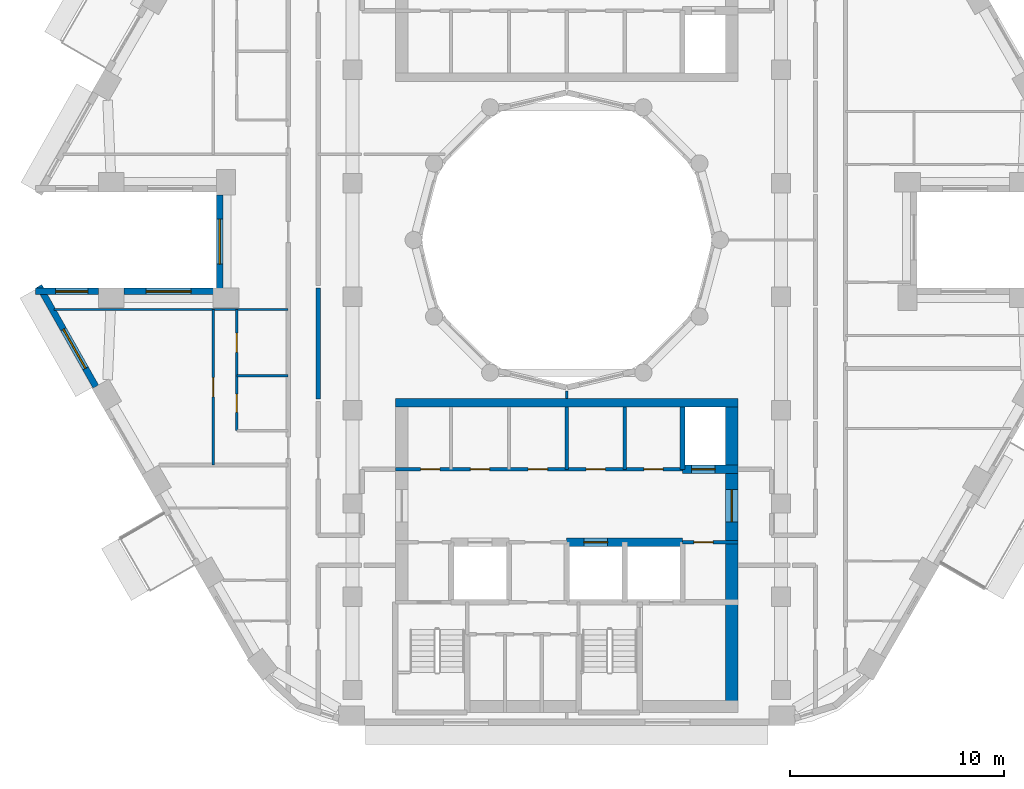
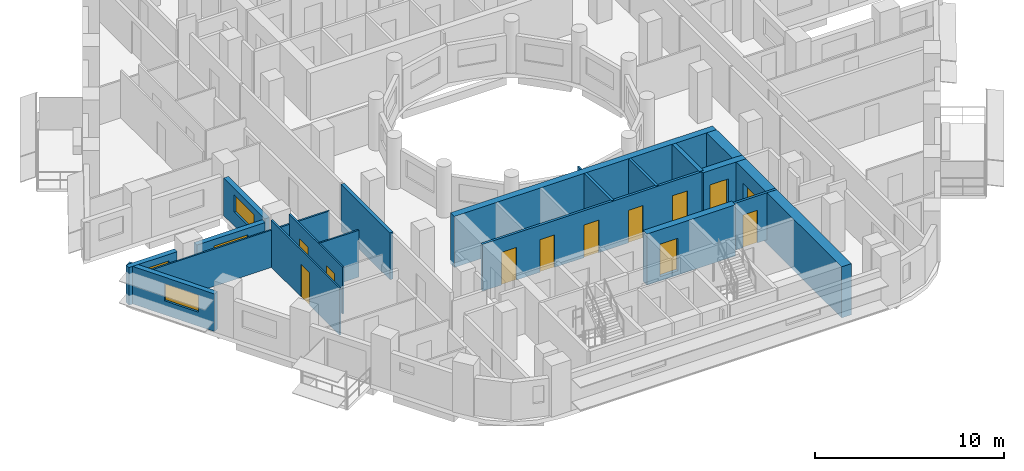
# One storey, part 4 of 17: 19 walls, 12 doors, 4 windows, 16 openings.
"""IFC4 building model written with IfcOpenShell, lengths in metres."""

from ifc_helpers import new_model, si_unit, direction, frame, frame_2d, origin, place, context, subcontext, project, spatial, rectangle, extrude, material, layer, layer_set, type_object, element, fill, save


model = new_model("IFC4")

# Units and contexts
model_context = context("Model", 3, precision=1e-05, world=origin(), true_north=direction((0.0, 1.0)))
body_context = subcontext(model_context, "Body", "Model", "MODEL_VIEW")
ifc_project = project(units=[si_unit("LENGTHUNIT", "METRE"), si_unit("AREAUNIT", "SQUARE_METRE"), si_unit("VOLUMEUNIT", "CUBIC_METRE"), si_unit("PLANEANGLEUNIT", "RADIAN"), si_unit("MASSUNIT", "GRAM", prefix="KILO")], contexts=[model_context])

# Site, building, storey
site_placement = place(None, origin())
site = spatial("IfcSite", under=ifc_project, at=site_placement, CompositionType="ELEMENT")
building_placement = place(site_placement, origin())
building = spatial("IfcBuilding", under=site, at=building_placement, Name="Nakaniwa Court", CompositionType="ELEMENT")
storey_placement = place(building_placement, frame((0.0, 0.0, 203.10009765625)))
storey = spatial("IfcBuildingStorey", under=building, at=storey_placement, Name="L53", CompositionType="ELEMENT", Elevation=203.10009765625)

# Wall
ifc_material_1 = material(Name="Acoustic double stud partition")
ifc_layer_1 = layer(ifc_material_1, 0.199951171875)
ifc_layer_set_1 = layer_set([ifc_layer_1], Name="Acoustic double stud partition")
wall_type_1 = type_object("IfcWallType", Name="Acoustic double stud partition 200", PredefinedType="PARTITIONING", material=ifc_layer_set_1)
wall_1_placement = place(storey_placement, frame((68.39990234375, 72.5771484375, 0.0), z_axis=(0.0, 0.0, 1.0), x_axis=(0.0, 1.0, 0.0)))
element("IfcWall", 1, at=wall_1_placement, inside=storey, type_object=wall_type_1, Name="Partition PW-103", PredefinedType="PARTITIONING", context=body_context, shape_type="SweptSolid", body=[
    extrude(rectangle(XDim=5.185546875, YDim=0.199951171875, at=frame_2d((2.5927734375, 0.0))), origin(), (0.0, 0.0, 1.0), 3.02490234375),
])

# Wall, opening, window
ifc_material_2 = material(Name="Charcoal ceramic cladding")
ifc_layer_2 = layer(ifc_material_2, 0.02, Name="Ceramic cladding")
ifc_material_3 = material(Name="Ventilated air cavity")
ifc_layer_3 = layer(ifc_material_3, 0.04, ventilated=True, Name="Ventilated cavity")
ifc_material_4 = material(Name="Mineral wool insulation")
ifc_layer_4 = layer(ifc_material_4, 0.1, Name="Insulation")
ifc_material_5 = material(Name="Cement bonded sheathing board")
ifc_layer_5 = layer(ifc_material_5, 0.012, Name="Sheathing")
ifc_material_6 = material(Name="Cold-formed galvanised stud frame with mineral wool infill")
ifc_layer_6 = layer(ifc_material_6, 0.1, Name="Stud frame")
ifc_material_7 = material(Name="Fire-rated gypsum plasterboard lining")
ifc_layer_7 = layer(ifc_material_7, 0.028, Name="Lining")
ifc_layer_set_2 = layer_set([ifc_layer_2, ifc_layer_3, ifc_layer_4, ifc_layer_5, ifc_layer_6, ifc_layer_7], Name="Charcoal ceramic faced external wall system")
wall_type_2 = type_object("IfcWallType", Name="Black ceramic faced external wall 300", PredefinedType="SOLIDWALL", material=ifc_layer_set_2)
wall_2_placement = place(storey_placement, frame((63.800537109375, 82.10400390625, 0.0), z_axis=(0.0, 0.0, 1.0), x_axis=(0.0, -1.0, 0.0)))
wall_2 = element("IfcWall", 2, at=wall_2_placement, inside=storey, type_object=wall_type_2, Name="L53 external wall 17", PredefinedType="SOLIDWALL", context=body_context, shape_type="SweptSolid", body=[
    extrude(rectangle(XDim=4.35791015625, YDim=0.300048828125, at=frame_2d((2.178955078125, 0.0))), origin(), (0.0, 0.0, 1.0), 2.4248046875),
])
opening_1_placement = place(wall_2_placement, frame((1.12890625, 0.0, 0.89990234375)))
opening_1 = element("IfcOpeningElement", 3, at=opening_1_placement, cuts=wall_2, Name="Opening W7.19", PredefinedType="OPENING", context=body_context, shape_type="SweptSolid", body=[
    extrude(rectangle(XDim=2.10009765625, YDim=1.10009765625, at=frame_2d((1.050048828125, 0.550048828125))), frame((0.0, 0.159912109375, 0.0), z_axis=(0.0, -1.0, 0.0), x_axis=(1.0, 0.0, 0.0)), (0.0, 0.0, 1.0), 0.320068359375),
])
ifc_material_8 = material(Name="Black anodised aluminium frame with dark low-E laminated double glazing", Category="aluminium")
window_type_1 = type_object("IfcWindowType", Name="Dark glass window 2100x1100 sill 900", PartitioningType="SINGLE_PANEL", PredefinedType="WINDOW", material=ifc_material_8)
window_1_placement = place(opening_1_placement, origin())
window_1 = element("IfcWindow", 4, at=window_1_placement, inside=storey, type_object=window_type_1, Name="L53 habitable room window 17-0", OverallHeight=1.10009765625, OverallWidth=2.10009765625, PartitioningType="SINGLE_PANEL", PredefinedType="WINDOW", context=body_context, shape_type="SweptSolid", body=[
    extrude(rectangle(XDim=2.10009765625, YDim=1.10009765625, at=frame_2d((1.050048828125, 0.550048828125))), frame((0.0, 0.030029296875, 0.0), z_axis=(0.0, -1.0, 0.0), x_axis=(1.0, 0.0, 0.0)), (0.0, 0.0, 1.0), 0.06005859375),
])
fill(opening_1, window_1)

wall_3_placement = place(storey_placement, frame((63.50439453125, 77.60009765625, 0.0), z_axis=(0.0, 0.0, 1.0), x_axis=(-1.0, 0.0, 0.0)))
wall_3 = element("IfcWall", 5, at=wall_3_placement, inside=storey, type_object=wall_type_2, Name="L53 external wall 18", PredefinedType="SOLIDWALL", context=body_context, shape_type="SweptSolid", body=[
    extrude(rectangle(XDim=4.17236328125, YDim=0.300048828125, at=frame_2d((2.086181640625, 0.0))), origin(), (0.0, 0.0, 1.0), 2.4248046875),
])
opening_2_placement = place(wall_3_placement, frame((1.036376953125, 0.0, 0.89990234375)))
opening_2 = element("IfcOpeningElement", 6, at=opening_2_placement, cuts=wall_3, Name="Opening W7.20", PredefinedType="OPENING", context=body_context, shape_type="SweptSolid", body=[
    extrude(rectangle(XDim=2.10009765625, YDim=1.10009765625, at=frame_2d((1.050048828125, 0.550048828125))), frame((0.0, 0.159912109375, 0.0), z_axis=(0.0, -1.0, 0.0), x_axis=(1.0, 0.0, 0.0)), (0.0, 0.0, 1.0), 0.320068359375),
])
window_2_placement = place(opening_2_placement, origin())
window_2 = element("IfcWindow", 7, at=window_2_placement, inside=storey, type_object=window_type_1, Name="L53 habitable room window 18-0", OverallHeight=1.10009765625, OverallWidth=2.10009765625, PartitioningType="SINGLE_PANEL", PredefinedType="WINDOW", context=body_context, shape_type="SweptSolid", body=[
    extrude(rectangle(XDim=2.10009765625, YDim=1.10009765625, at=frame_2d((1.050048828125, 0.550048828125))), frame((0.0, 0.030029296875, 0.0), z_axis=(0.0, -1.0, 0.0), x_axis=(1.0, 0.0, 0.0)), (0.0, 0.0, 1.0), 0.06005859375),
])
fill(opening_2, window_2)

wall_4_placement = place(storey_placement, frame((58.139892578125, 77.60009765625, 0.0), z_axis=(0.0, 0.0, 1.0), x_axis=(-1.0, 0.0, 0.0)))
wall_4 = element("IfcWall", 8, at=wall_4_placement, inside=storey, type_object=wall_type_2, Name="L53 external wall 19", PredefinedType="SOLIDWALL", context=body_context, shape_type="SweptSolid", body=[
    extrude(rectangle(XDim=2.937744140625, YDim=0.300048828125, at=frame_2d((1.46875, 0.0))), origin(), (0.0, 0.0, 1.0), 2.4248046875),
])
opening_3_placement = place(wall_4_placement, frame((0.493896484375, 0.0, 0.89990234375)))
opening_3 = element("IfcOpeningElement", 9, at=opening_3_placement, cuts=wall_4, Name="Opening W5.21", PredefinedType="OPENING", context=body_context, shape_type="SweptSolid", body=[
    extrude(rectangle(XDim=1.5, YDim=1.10009765625, at=frame_2d((0.75, 0.550048828125))), frame((0.0, 0.159912109375, 0.0), z_axis=(0.0, -1.0, 0.0), x_axis=(1.0, 0.0, 0.0)), (0.0, 0.0, 1.0), 0.320068359375),
])
window_type_2 = type_object("IfcWindowType", Name="Dark glass window 1500x1100 sill 900", PartitioningType="SINGLE_PANEL", PredefinedType="WINDOW", material=ifc_material_8)
window_3_placement = place(opening_3_placement, origin())
window_3 = element("IfcWindow", 10, at=window_3_placement, inside=storey, type_object=window_type_2, Name="L53 habitable room window 19-0", OverallHeight=1.10009765625, OverallWidth=1.5, PartitioningType="SINGLE_PANEL", PredefinedType="WINDOW", context=body_context, shape_type="SweptSolid", body=[
    extrude(rectangle(XDim=1.5, YDim=1.10009765625, at=frame_2d((0.75, 0.550048828125))), frame((0.0, 0.030029296875, 0.0), z_axis=(0.0, -1.0, 0.0), x_axis=(1.0, 0.0, 0.0)), (0.0, 0.0, 1.0), 0.06005859375),
])
fill(opening_3, window_3)

wall_5_placement = place(storey_placement, frame((55.372802734375, 77.846435546875, 0.0), z_axis=(0.0, 0.0, 1.0), x_axis=(0.492033360928, -0.870576344575, 0.0)))
wall_5 = element("IfcWall", 11, at=wall_5_placement, inside=storey, type_object=wall_type_2, Name="L53 external wall 20", PredefinedType="SOLIDWALL", context=body_context, shape_type="SweptSolid", body=[
    extrude(rectangle(XDim=5.38671875, YDim=0.300048828125, at=frame_2d((2.693359375, 0.0))), origin(), (0.0, 0.0, 1.0), 2.4248046875),
])
opening_4_placement = place(wall_5_placement, frame((2.308349609375, 0.0, 0.89990234375)))
opening_4 = element("IfcOpeningElement", 12, at=opening_4_placement, cuts=wall_5, Name="Opening W7.22", PredefinedType="OPENING", context=body_context, shape_type="SweptSolid", body=[
    extrude(rectangle(XDim=2.10009765625, YDim=1.10009765625, at=frame_2d((1.050048828125, 0.550048828125))), frame((0.0, 0.159912109375, 0.0), z_axis=(0.0, -1.0, 0.0), x_axis=(1.0, 0.0, 0.0)), (0.0, 0.0, 1.0), 0.320068359375),
])
window_4_placement = place(opening_4_placement, origin())
window_4 = element("IfcWindow", 13, at=window_4_placement, inside=storey, type_object=window_type_1, Name="L53 living window 20-1", OverallHeight=1.10009765625, OverallWidth=2.10009765625, PartitioningType="SINGLE_PANEL", PredefinedType="WINDOW", context=body_context, shape_type="SweptSolid", body=[
    extrude(rectangle(XDim=2.10009765625, YDim=1.10009765625, at=frame_2d((1.050048828125, 0.550048828125))), frame((0.0, 0.030029296875, 0.0), z_axis=(0.0, -1.0, 0.0), x_axis=(1.0, 0.0, 0.0)), (0.0, 0.0, 1.0), 0.06005859375),
])
fill(opening_4, window_4)

# Wall, openings, doors
ifc_material_9 = material(Name="Blockwork partition", Category="masonry")
ifc_layer_8 = layer(ifc_material_9, 0.14990234375)
ifc_layer_set_3 = layer_set([ifc_layer_8], Name="Blockwork partition")
wall_type_3 = type_object("IfcWallType", Name="Blockwork partition 150", PredefinedType="PARTITIONING", material=ifc_layer_set_3)
wall_6_placement = place(storey_placement, frame((72.0, 69.300048828125, 0.0), z_axis=(0.0, 0.0, 1.0), x_axis=(1.0, 0.0, 0.0)))
wall_6 = element("IfcWall", 14, at=wall_6_placement, inside=storey, type_object=wall_type_3, Name="Partition PW-038", PredefinedType="PARTITIONING", context=body_context, shape_type="SweptSolid", body=[
    extrude(rectangle(XDim=13.39990234375, YDim=0.14990234375, at=frame_2d((6.699951171875, 0.0))), origin(), (0.0, 0.0, 1.0), 3.02490234375),
])
opening_5_placement = place(wall_6_placement, frame((1.175048828125, 0.0, 0.0)))
opening_5 = element("IfcOpeningElement", 15, at=opening_5_placement, cuts=wall_6, Name="Opening D-05-10", PredefinedType="OPENING", context=body_context, shape_type="SweptSolid", body=[
    extrude(rectangle(XDim=0.89990234375, YDim=2.10009765625, at=frame_2d((0.449951171875, 1.050048828125))), frame((0.0, 0.0849609375, 0.0), z_axis=(0.0, -1.0, 0.0), x_axis=(1.0, 0.0, 0.0)), (0.0, 0.0, 1.0), 0.169921875),
])
opening_6_placement = place(wall_6_placement, frame((3.5, 0.0, 0.0)))
opening_6 = element("IfcOpeningElement", 16, at=opening_6_placement, cuts=wall_6, Name="Opening D-05-11", PredefinedType="OPENING", context=body_context, shape_type="SweptSolid", body=[
    extrude(rectangle(XDim=0.89990234375, YDim=2.10009765625, at=frame_2d((0.449951171875, 1.050048828125))), frame((0.0, 0.0849609375, 0.0), z_axis=(0.0, -1.0, 0.0), x_axis=(1.0, 0.0, 0.0)), (0.0, 0.0, 1.0), 0.169921875),
])
opening_7_placement = place(wall_6_placement, frame((6.199951171875, 0.0, 0.0)))
opening_7 = element("IfcOpeningElement", 17, at=opening_7_placement, cuts=wall_6, Name="Opening D-05-12", PredefinedType="OPENING", context=body_context, shape_type="SweptSolid", body=[
    extrude(rectangle(XDim=0.89990234375, YDim=2.10009765625, at=frame_2d((0.449951171875, 1.050048828125))), frame((0.0, 0.0849609375, 0.0), z_axis=(0.0, -1.0, 0.0), x_axis=(1.0, 0.0, 0.0)), (0.0, 0.0, 1.0), 0.169921875),
])
opening_8_placement = place(wall_6_placement, frame((8.89990234375, 0.0, 0.0)))
opening_8 = element("IfcOpeningElement", 18, at=opening_8_placement, cuts=wall_6, Name="Opening D-05-13", PredefinedType="OPENING", context=body_context, shape_type="SweptSolid", body=[
    extrude(rectangle(XDim=0.89990234375, YDim=2.10009765625, at=frame_2d((0.449951171875, 1.050048828125))), frame((0.0, 0.0849609375, 0.0), z_axis=(0.0, -1.0, 0.0), x_axis=(1.0, 0.0, 0.0)), (0.0, 0.0, 1.0), 0.169921875),
])
opening_9_placement = place(wall_6_placement, frame((11.60009765625, 0.0, 0.0)))
opening_9 = element("IfcOpeningElement", 19, at=opening_9_placement, cuts=wall_6, Name="Opening D-05-14", PredefinedType="OPENING", context=body_context, shape_type="SweptSolid", body=[
    extrude(rectangle(XDim=0.89990234375, YDim=2.10009765625, at=frame_2d((0.449951171875, 1.050048828125))), frame((0.0, 0.0849609375, 0.0), z_axis=(0.0, -1.0, 0.0), x_axis=(1.0, 0.0, 0.0)), (0.0, 0.0, 1.0), 0.169921875),
])
ifc_material_10 = material(Name="Fire rated steel door set", Category="steel")
door_type_1 = type_object("IfcDoorType", Name="Service room door 900", OperationType="NOTDEFINED", PredefinedType="DOOR", material=ifc_material_10)
door_1_placement = place(opening_5_placement, origin())
door_1 = element("IfcDoor", 20, at=door_1_placement, inside=storey, type_object=door_type_1, Name="Door D-05-10 L53-015", OperationType="SINGLE_SWING_RIGHT", OverallHeight=2.10009765625, OverallWidth=0.89990234375, PredefinedType="DOOR", context=body_context, shape_type="SweptSolid", body=[
    extrude(rectangle(XDim=0.89990234375, YDim=2.10009765625, at=frame_2d((0.449951171875, 1.050048828125))), frame((0.0, 0.02490234375, 0.0), z_axis=(0.0, -1.0, 0.0), x_axis=(1.0, 0.0, 0.0)), (0.0, 0.0, 1.0), 0.050048828125),
])
fill(opening_5, door_1)
door_2_placement = place(opening_6_placement, origin())
door_2 = element("IfcDoor", 21, at=door_2_placement, inside=storey, type_object=door_type_1, Name="Door D-05-11 L53-016", OperationType="SINGLE_SWING_LEFT", OverallHeight=2.10009765625, OverallWidth=0.89990234375, PredefinedType="DOOR", context=body_context, shape_type="SweptSolid", body=[
    extrude(rectangle(XDim=0.89990234375, YDim=2.10009765625, at=frame_2d((0.449951171875, 1.050048828125))), frame((0.0, 0.02490234375, 0.0), z_axis=(0.0, -1.0, 0.0), x_axis=(1.0, 0.0, 0.0)), (0.0, 0.0, 1.0), 0.050048828125),
])
fill(opening_6, door_2)
door_3_placement = place(opening_7_placement, origin())
door_3 = element("IfcDoor", 22, at=door_3_placement, inside=storey, type_object=door_type_1, Name="Door D-05-12 L53-017", OperationType="SINGLE_SWING_RIGHT", OverallHeight=2.10009765625, OverallWidth=0.89990234375, PredefinedType="DOOR", context=body_context, shape_type="SweptSolid", body=[
    extrude(rectangle(XDim=0.89990234375, YDim=2.10009765625, at=frame_2d((0.449951171875, 1.050048828125))), frame((0.0, 0.02490234375, 0.0), z_axis=(0.0, -1.0, 0.0), x_axis=(1.0, 0.0, 0.0)), (0.0, 0.0, 1.0), 0.050048828125),
])
fill(opening_7, door_3)
door_4_placement = place(opening_8_placement, origin())
door_4 = element("IfcDoor", 23, at=door_4_placement, inside=storey, type_object=door_type_1, Name="Door D-05-13 L53-018", OperationType="SINGLE_SWING_LEFT", OverallHeight=2.10009765625, OverallWidth=0.89990234375, PredefinedType="DOOR", context=body_context, shape_type="SweptSolid", body=[
    extrude(rectangle(XDim=0.89990234375, YDim=2.10009765625, at=frame_2d((0.449951171875, 1.050048828125))), frame((0.0, 0.02490234375, 0.0), z_axis=(0.0, -1.0, 0.0), x_axis=(1.0, 0.0, 0.0)), (0.0, 0.0, 1.0), 0.050048828125),
])
fill(opening_8, door_4)
door_5_placement = place(opening_9_placement, origin())
door_5 = element("IfcDoor", 24, at=door_5_placement, inside=storey, type_object=door_type_1, Name="Door D-05-14 L53-019", OperationType="SINGLE_SWING_RIGHT", OverallHeight=2.10009765625, OverallWidth=0.89990234375, PredefinedType="DOOR", context=body_context, shape_type="SweptSolid", body=[
    extrude(rectangle(XDim=0.89990234375, YDim=2.10009765625, at=frame_2d((0.449951171875, 1.050048828125))), frame((0.0, 0.02490234375, 0.0), z_axis=(0.0, -1.0, 0.0), x_axis=(1.0, 0.0, 0.0)), (0.0, 0.0, 1.0), 0.050048828125),
])
fill(opening_9, door_5)

# Walls
for number, where, z_axis, x_axis, name in (
    (25, (80.0, 69.300048828125, 0.0), (0.0, 0.0, 1.0), (0.0, 1.0, 0.0), "Partition PW-045"),
    (26, (82.699951171875, 69.300048828125, 0.0), (0.0, 0.0, 1.0), (0.0, 1.0, 0.0), "Partition PW-046"),
):
    element("IfcWall", number, at=place(storey_placement, frame(where, z_axis=z_axis, x_axis=x_axis)), inside=storey, type_object=wall_type_3, Name=name, PredefinedType="PARTITIONING", context=body_context, shape_type="SweptSolid", body=[
        extrude(rectangle(XDim=2.89990234375, YDim=0.14990234375, at=frame_2d((1.449951171875, 0.0))), origin(), (0.0, 0.0, 1.0), 3.02490234375),
    ])

# Wall, opening, door
wall_7_placement = place(storey_placement, frame((88.0, 65.89990234375, 0.0), z_axis=(0.0, 0.0, 1.0), x_axis=(-1.0, 0.0, 0.0)))
wall_7 = element("IfcWall", 27, at=wall_7_placement, inside=storey, type_object=wall_type_3, Name="Partition PW-049", PredefinedType="PARTITIONING", context=body_context, shape_type="SweptSolid", body=[
    extrude(rectangle(XDim=2.60302734375, YDim=0.14990234375, at=frame_2d((1.301513671875, 0.0))), origin(), (0.0, 0.0, 1.0), 3.02490234375),
])
opening_10_placement = place(wall_7_placement, frame((1.175048828125, 0.0, 0.0)))
opening_10 = element("IfcOpeningElement", 28, at=opening_10_placement, cuts=wall_7, Name="Opening D-05-15", PredefinedType="OPENING", context=body_context, shape_type="SweptSolid", body=[
    extrude(rectangle(XDim=0.89990234375, YDim=2.10009765625, at=frame_2d((0.449951171875, 1.050048828125))), frame((0.0, 0.0849609375, 0.0), z_axis=(0.0, -1.0, 0.0), x_axis=(1.0, 0.0, 0.0)), (0.0, 0.0, 1.0), 0.169921875),
])
door_6_placement = place(opening_10_placement, origin())
door_6 = element("IfcDoor", 29, at=door_6_placement, inside=storey, type_object=door_type_1, Name="Door D-05-15 L53-022", OperationType="SINGLE_SWING_LEFT", OverallHeight=2.10009765625, OverallWidth=0.89990234375, PredefinedType="DOOR", context=body_context, shape_type="SweptSolid", body=[
    extrude(rectangle(XDim=0.89990234375, YDim=2.10009765625, at=frame_2d((0.449951171875, 1.050048828125))), frame((0.0, 0.02490234375, 0.0), z_axis=(0.0, -1.0, 0.0), x_axis=(1.0, 0.0, 0.0)), (0.0, 0.0, 1.0), 0.050048828125),
])
fill(opening_10, door_6)

ifc_material_11 = material(Name="Concrete C80/100", Category="concrete")
ifc_layer_9 = layer(ifc_material_11, 0.60009765625)
ifc_layer_set_4 = layer_set([ifc_layer_9], Name="Concrete C80/100")
wall_type_4 = type_object("IfcWallType", Name="Concrete core side wall 600 C80", PredefinedType="SHEAR", material=ifc_layer_set_4)
wall_8_placement = place(storey_placement, frame((87.699951171875, 72.199951171875, -0.275146484375), z_axis=(0.0, 0.0, 1.0), x_axis=(0.0, -1.0, 0.0)))
wall_8 = element("IfcWall", 30, at=wall_8_placement, inside=storey, type_object=wall_type_4, Name="Core wall SW-43", PredefinedType="SHEAR", context=body_context, shape_type="SweptSolid", body=[
    extrude(rectangle(XDim=14.25, YDim=0.60009765625, at=frame_2d((7.125, 0.0))), origin(), (0.0, 0.0, 1.0), 3.300048828125),
])
opening_11_placement = place(wall_8_placement, frame((3.85205078125, 0.0, 0.27490234375)))
opening_11 = element("IfcOpeningElement", 31, at=opening_11_placement, cuts=wall_8, Name="Opening D-07-03", PredefinedType="OPENING", context=body_context, shape_type="SweptSolid", body=[
    extrude(rectangle(XDim=1.5, YDim=2.10009765625, at=frame_2d((0.75, 1.050048828125))), frame((0.0, 0.31005859375, 0.0), z_axis=(0.0, -1.0, 0.0), x_axis=(1.0, 0.0, 0.0)), (0.0, 0.0, 1.0), 0.6201171875),
])
ifc_material_12 = material(Name="Glazed fire rated steel double door set", Category="steel")
door_type_2 = type_object("IfcDoorType", Name="Lobby double door 1500", OperationType="NOTDEFINED", PredefinedType="DOOR", material=ifc_material_12)
door_7_placement = place(opening_11_placement, origin())
door_7 = element("IfcDoor", 32, at=door_7_placement, inside=storey, type_object=door_type_2, Name="Door D-07-03 L53-063", OperationType="DOUBLE_DOOR_SINGLE_SWING", OverallHeight=2.10009765625, OverallWidth=1.5, PredefinedType="DOOR", context=body_context, shape_type="SweptSolid", body=[
    extrude(rectangle(XDim=1.5, YDim=2.10009765625, at=frame_2d((0.75, 1.050048828125))), frame((0.0, 0.02490234375, 0.0), z_axis=(0.0, -1.0, 0.0), x_axis=(1.0, 0.0, 0.0)), (0.0, 0.0, 1.0), 0.050048828125),
])
fill(opening_11, door_7)

ifc_layer_10 = layer(ifc_material_11, 0.39990234375)
ifc_layer_set_5 = layer_set([ifc_layer_10], Name="Concrete C80/100")
wall_type_5 = type_object("IfcWallType", Name="Concrete core spine wall 400 C80", PredefinedType="SHEAR", material=ifc_layer_set_5)
wall_9_placement = place(storey_placement, frame((85.39990234375, 69.300048828125, -0.275146484375), z_axis=(0.0, 0.0, 1.0), x_axis=(1.0, 0.0, 0.0)))
wall_9 = element("IfcWall", 33, at=wall_9_placement, inside=storey, type_object=wall_type_5, Name="Core wall SW-42", PredefinedType="SHEAR", context=body_context, shape_type="SweptSolid", body=[
    extrude(rectangle(XDim=2.60009765625, YDim=0.39990234375, at=frame_2d((1.300048828125, 0.0))), origin(), (0.0, 0.0, 1.0), 3.300048828125),
])
opening_12_placement = place(wall_9_placement, frame((0.425048828125, 0.0, 0.27490234375)))
opening_12 = element("IfcOpeningElement", 34, at=opening_12_placement, cuts=wall_9, Name="Opening LD05", PredefinedType="OPENING", context=body_context, shape_type="SweptSolid", body=[
    extrude(rectangle(XDim=1.10009765625, YDim=2.10009765625, at=frame_2d((0.550048828125, 1.050048828125))), frame((0.0, 0.2099609375, 0.0), z_axis=(0.0, -1.0, 0.0), x_axis=(1.0, 0.0, 0.0)), (0.0, 0.0, 1.0), 0.419921875),
])
ifc_material_13 = material(Name="Stainless steel sliding lift landing door", Category="steel")
door_type_3 = type_object("IfcDoorType", Name="Lift landing door 1100", OperationType="NOTDEFINED", PredefinedType="DOOR", material=ifc_material_13)
door_8_placement = place(opening_12_placement, origin())
door_8 = element("IfcDoor", 35, at=door_8_placement, inside=storey, type_object=door_type_3, Name="Lift landing door LD05 L53-005", OperationType="SLIDING_TO_LEFT", OverallHeight=2.10009765625, OverallWidth=1.10009765625, PredefinedType="DOOR", context=body_context, shape_type="SweptSolid", body=[
    extrude(rectangle(XDim=1.10009765625, YDim=2.10009765625, at=frame_2d((0.550048828125, 1.050048828125))), frame((0.0, 0.02490234375, 0.0), z_axis=(0.0, -1.0, 0.0), x_axis=(1.0, 0.0, 0.0)), (0.0, 0.0, 1.0), 0.050048828125),
])
fill(opening_12, door_8)

wall_10_placement = place(storey_placement, frame((79.9970703125, 65.89990234375, -0.275146484375), z_axis=(0.0, 0.0, 1.0), x_axis=(1.0, 0.0, 0.0)))
wall_10 = element("IfcWall", 36, at=wall_10_placement, inside=storey, type_object=wall_type_5, Name="Core wall SW-51", PredefinedType="SHEAR", context=body_context, shape_type="SweptSolid", body=[
    extrude(rectangle(XDim=5.406005859375, YDim=0.39990234375, at=frame_2d((2.703125, 0.0))), origin(), (0.0, 0.0, 1.0), 3.300048828125),
])
opening_13_placement = place(wall_10_placement, frame((0.802978515625, 0.0, 0.27490234375)))
opening_13 = element("IfcOpeningElement", 37, at=opening_13_placement, cuts=wall_10, Name="Opening LD07", PredefinedType="OPENING", context=body_context, shape_type="SweptSolid", body=[
    extrude(rectangle(XDim=1.10009765625, YDim=2.10009765625, at=frame_2d((0.550048828125, 1.050048828125))), frame((0.0, 0.2099609375, 0.0), z_axis=(0.0, -1.0, 0.0), x_axis=(1.0, 0.0, 0.0)), (0.0, 0.0, 1.0), 0.419921875),
])
door_9_placement = place(opening_13_placement, origin())
door_9 = element("IfcDoor", 38, at=door_9_placement, inside=storey, type_object=door_type_3, Name="Lift landing door LD07 L53-007", OperationType="SLIDING_TO_LEFT", OverallHeight=2.10009765625, OverallWidth=1.10009765625, PredefinedType="DOOR", context=body_context, shape_type="SweptSolid", body=[
    extrude(rectangle(XDim=1.10009765625, YDim=2.10009765625, at=frame_2d((0.550048828125, 1.050048828125))), frame((0.0, 0.02490234375, 0.0), z_axis=(0.0, -1.0, 0.0), x_axis=(1.0, 0.0, 0.0)), (0.0, 0.0, 1.0), 0.050048828125),
])
fill(opening_13, door_9)

# Walls
ifc_layer_11 = layer(ifc_material_11, 0.39990234375)
ifc_layer_set_6 = layer_set([ifc_layer_11], Name="Concrete C80/100")
wall_type_6 = type_object("IfcWallType", Name="Concrete core well wall 400 C80", PredefinedType="SHEAR", material=ifc_layer_set_6)
wall_11_placement = place(storey_placement, frame((72.00390625, 72.39990234375, -0.275146484375), z_axis=(0.0, 0.0, 1.0), x_axis=(1.0, 0.0, 0.0)))
element("IfcWall", 39, at=wall_11_placement, inside=storey, type_object=wall_type_6, Name="Core wall SW-144", PredefinedType="SHEAR", context=body_context, shape_type="SweptSolid", body=[
    extrude(rectangle(XDim=15.9921875, YDim=0.39990234375, at=frame_2d((7.99609375, 0.0))), origin(), (0.0, 0.0, 1.0), 3.300048828125),
])
ifc_layer_12 = layer(ifc_material_11, 0.25)
ifc_layer_set_7 = layer_set([ifc_layer_12], Name="Concrete C80/100")
wall_type_7 = type_object("IfcWallType", Name="Concrete shaft wall 250 C80", PredefinedType="SHEAR", material=ifc_layer_set_7)
wall_12_placement = place(storey_placement, frame((85.39990234375, 69.300048828125, -0.275146484375), z_axis=(0.0, 0.0, 1.0), x_axis=(0.0, 1.0, 0.0)))
element("IfcWall", 40, at=wall_12_placement, inside=storey, type_object=wall_type_7, Name="Core wall SW-41", PredefinedType="SHEAR", context=body_context, shape_type="SweptSolid", body=[
    extrude(rectangle(XDim=2.89990234375, YDim=0.25, at=frame_2d((1.449951171875, 0.0))), origin(), (0.0, 0.0, 1.0), 3.300048828125),
])
ifc_material_14 = material(Name="Single stud plasterboard partition")
ifc_layer_13 = layer(ifc_material_14, 0.10009765625)
ifc_layer_set_8 = layer_set([ifc_layer_13], Name="Single stud plasterboard partition")
wall_type_8 = type_object("IfcWallType", Name="Single stud plasterboard partition 100", PredefinedType="PARTITIONING", material=ifc_layer_set_8)
wall_13_placement = place(storey_placement, frame((80.0, 72.60009765625, 0.0), z_axis=(0.0, 0.0, 1.0), x_axis=(0.0, 1.0, 0.0)))
element("IfcWall", 41, at=wall_13_placement, inside=storey, type_object=wall_type_8, Name="Partition PW-113", PredefinedType="PARTITIONING", context=body_context, shape_type="SweptSolid", body=[
    extrude(rectangle(XDim=0.351806640625, YDim=0.10009765625, at=frame_2d((0.17578125, 0.0))), origin(), (0.0, 0.0, 1.0), 3.02490234375),
])
wall_14_placement = place(storey_placement, frame((64.59912109375, 73.66796875, 0.0), z_axis=(0.0, 0.0, 1.0), x_axis=(1.0, 0.0, 0.0)))
element("IfcWall", 42, at=wall_14_placement, inside=storey, type_object=wall_type_8, Name="Partition PW-130", PredefinedType="PARTITIONING", context=body_context, shape_type="SweptSolid", body=[
    extrude(rectangle(XDim=2.39990234375, YDim=0.10009765625, at=frame_2d((1.199951171875, 0.0))), origin(), (0.0, 0.0, 1.0), 3.02490234375),
])

# Wall, openings, doors
wall_15_placement = place(storey_placement, frame((64.59912109375, 76.75, 0.0), z_axis=(0.0, 0.0, 1.0), x_axis=(0.0, -1.0, 0.0)))
wall_15 = element("IfcWall", 43, at=wall_15_placement, inside=storey, type_object=wall_type_8, Name="Partition PW-131", PredefinedType="PARTITIONING", context=body_context, shape_type="SweptSolid", body=[
    extrude(rectangle(XDim=5.64990234375, YDim=0.10009765625, at=frame_2d((2.824951171875, 0.0))), origin(), (0.0, 0.0, 1.0), 3.02490234375),
])
opening_14_placement = place(wall_15_placement, frame((3.94091796875, 0.0, 0.0)))
opening_14 = element("IfcOpeningElement", 44, at=opening_14_placement, cuts=wall_15, Name="Opening D-03-04", PredefinedType="OPENING", context=body_context, shape_type="SweptSolid", body=[
    extrude(rectangle(XDim=0.85009765625, YDim=2.10009765625, at=frame_2d((0.425048828125, 1.050048828125))), frame((0.0, 0.06005859375, 0.0), z_axis=(0.0, -1.0, 0.0), x_axis=(1.0, 0.0, 0.0)), (0.0, 0.0, 1.0), 0.1201171875),
])
opening_15_placement = place(wall_15_placement, frame((1.091064453125, 0.0, 0.0)))
opening_15 = element("IfcOpeningElement", 45, at=opening_15_placement, cuts=wall_15, Name="Opening D-33-08", PredefinedType="OPENING", context=body_context, shape_type="SweptSolid", body=[
    extrude(rectangle(XDim=0.89990234375, YDim=2.10009765625, at=frame_2d((0.449951171875, 1.050048828125))), frame((0.0, 0.06005859375, 0.0), z_axis=(0.0, -1.0, 0.0), x_axis=(1.0, 0.0, 0.0)), (0.0, 0.0, 1.0), 0.1201171875),
])
ifc_material_15 = material(Name="Moisture sealed timber door set", Category="wood")
door_type_4 = type_object("IfcDoorType", Name="Bathroom door 850", OperationType="NOTDEFINED", PredefinedType="DOOR", material=ifc_material_15)
door_10_placement = place(opening_14_placement, origin())
door_10 = element("IfcDoor", 46, at=door_10_placement, inside=storey, type_object=door_type_4, Name="Door D-03-04 L53-047", OperationType="SINGLE_SWING_RIGHT", OverallHeight=2.10009765625, OverallWidth=0.85009765625, PredefinedType="DOOR", context=body_context, shape_type="SweptSolid", body=[
    extrude(rectangle(XDim=0.85009765625, YDim=2.10009765625, at=frame_2d((0.425048828125, 1.050048828125))), frame((0.0, 0.02490234375, 0.0), z_axis=(0.0, -1.0, 0.0), x_axis=(1.0, 0.0, 0.0)), (0.0, 0.0, 1.0), 0.050048828125),
])
fill(opening_14, door_10)
ifc_material_16 = material(Name="Solid core timber door set, black veneer", Category="wood")
door_type_5 = type_object("IfcDoorType", Name="Internal door 900", OperationType="NOTDEFINED", PredefinedType="DOOR", material=ifc_material_16)
door_11_placement = place(opening_15_placement, origin())
door_11 = element("IfcDoor", 47, at=door_11_placement, inside=storey, type_object=door_type_5, Name="Door D-33-08 L53-048", OperationType="SINGLE_SWING_LEFT", OverallHeight=2.10009765625, OverallWidth=0.89990234375, PredefinedType="DOOR", context=body_context, shape_type="SweptSolid", body=[
    extrude(rectangle(XDim=0.89990234375, YDim=2.10009765625, at=frame_2d((0.449951171875, 1.050048828125))), frame((0.0, 0.02490234375, 0.0), z_axis=(0.0, -1.0, 0.0), x_axis=(1.0, 0.0, 0.0)), (0.0, 0.0, 1.0), 0.050048828125),
])
fill(opening_15, door_11)

# Wall
wall_16_placement = place(storey_placement, frame((56.06884765625, 76.75, 0.0), z_axis=(0.0, 0.0, 1.0), x_axis=(1.0, 0.0, 0.0)))
element("IfcWall", 48, at=wall_16_placement, inside=storey, type_object=wall_type_8, Name="Partition PW-134", PredefinedType="PARTITIONING", context=body_context, shape_type="SweptSolid", body=[
    extrude(rectangle(XDim=10.93017578125, YDim=0.10009765625, at=frame_2d((5.465087890625, 0.0))), origin(), (0.0, 0.0, 1.0), 2.40478515625),
])

# Wall, opening, door
wall_17_placement = place(storey_placement, frame((63.4990234375, 69.5, 0.0), z_axis=(0.0, 0.0, 1.0), x_axis=(0.0, 1.0, 0.0)))
wall_17 = element("IfcWall", 49, at=wall_17_placement, inside=storey, type_object=wall_type_8, Name="Partition PW-135", PredefinedType="PARTITIONING", context=body_context, shape_type="SweptSolid", body=[
    extrude(rectangle(XDim=7.25, YDim=0.10009765625, at=frame_2d((3.625, 0.0))), origin(), (0.0, 0.0, 1.0), 3.02490234375),
])
opening_16_placement = place(wall_17_placement, frame((3.175048828125, 0.0, 0.0)))
opening_16 = element("IfcOpeningElement", 50, at=opening_16_placement, cuts=wall_17, Name="Opening D-33-09", PredefinedType="OPENING", context=body_context, shape_type="SweptSolid", body=[
    extrude(rectangle(XDim=0.89990234375, YDim=2.10009765625, at=frame_2d((0.449951171875, 1.050048828125))), frame((0.0, 0.06005859375, 0.0), z_axis=(0.0, -1.0, 0.0), x_axis=(1.0, 0.0, 0.0)), (0.0, 0.0, 1.0), 0.1201171875),
])
door_12_placement = place(opening_16_placement, origin())
door_12 = element("IfcDoor", 51, at=door_12_placement, inside=storey, type_object=door_type_5, Name="Door D-33-09 L53-049", OperationType="SINGLE_SWING_RIGHT", OverallHeight=2.10009765625, OverallWidth=0.89990234375, PredefinedType="DOOR", context=body_context, shape_type="SweptSolid", body=[
    extrude(rectangle(XDim=0.89990234375, YDim=2.10009765625, at=frame_2d((0.449951171875, 1.050048828125))), frame((0.0, 0.02490234375, 0.0), z_axis=(0.0, -1.0, 0.0), x_axis=(1.0, 0.0, 0.0)), (0.0, 0.0, 1.0), 0.050048828125),
])
fill(opening_16, door_12)

save(model, "model.ifc")
